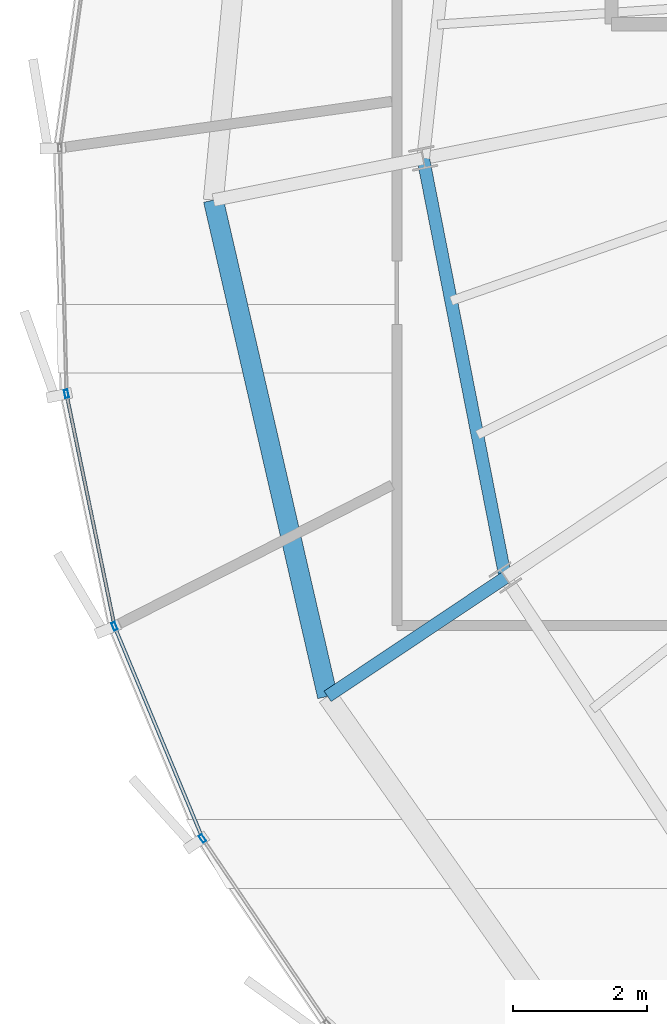
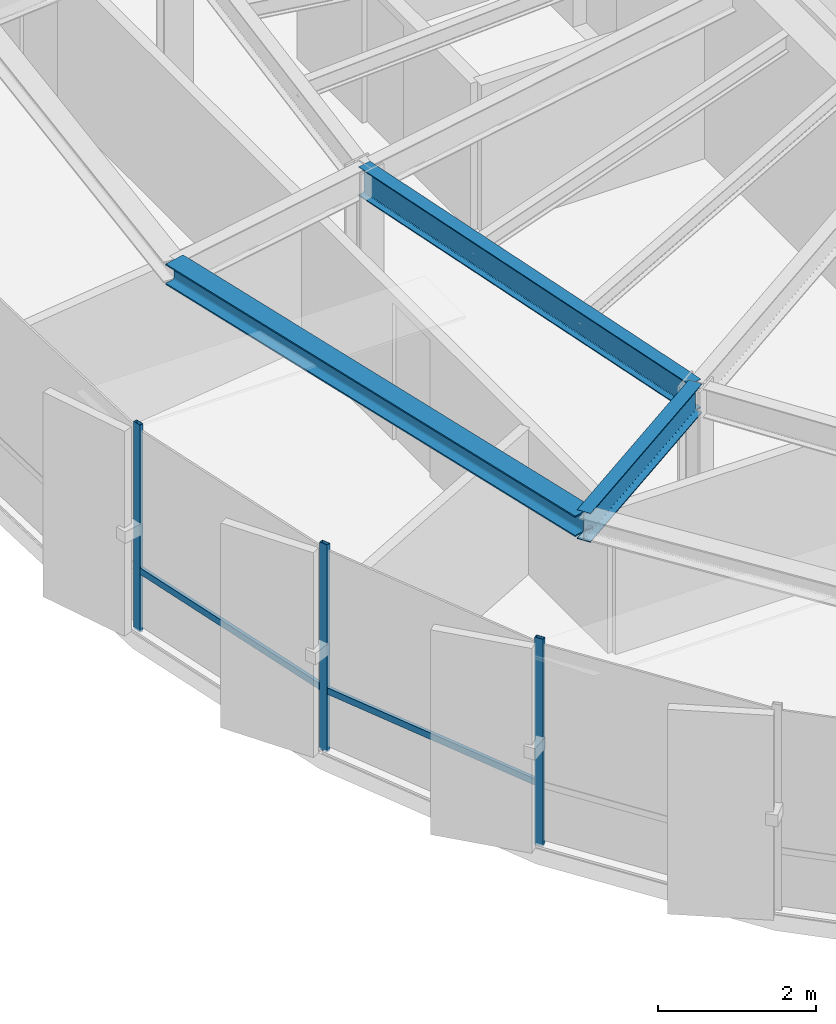
# One storey, part 4 of 35: 5 members, 3 beams, 1 element without a shape of its own.
"""IFC4 building model written with IfcOpenShell, lengths in metres."""

from ifc_helpers import new_model, si_unit, direction, frame, origin, origin_2d, place, context, subcontext, project, spatial, hollow_rectangle, i_section, extrude, source, transform, mapped, material, layer, layer_set, material_profile, profile_set, type_object, element, aggregate, save


model = new_model("IFC4")

# Units and contexts
model_context = context("Model", 3, precision=1e-05, world=origin(), true_north=direction((0.0, 1.0)))
body_context = subcontext(model_context, "Body", "Model", "MODEL_VIEW")
ifc_project = project(units=[si_unit("LENGTHUNIT", "METRE"), si_unit("AREAUNIT", "SQUARE_METRE"), si_unit("VOLUMEUNIT", "CUBIC_METRE"), si_unit("PLANEANGLEUNIT", "RADIAN"), si_unit("MASSUNIT", "GRAM", prefix="KILO"), si_unit("THERMODYNAMICTEMPERATUREUNIT", "KELVIN")], contexts=[model_context])

# Site, building, storey
site_placement = place(None, origin())
site = spatial("IfcSite", under=ifc_project, at=site_placement, CompositionType="ELEMENT")
building_placement = place(site_placement, origin())
building = spatial("IfcBuilding", under=site, at=building_placement, Name="Kethvar Cultural Tower", CompositionType="ELEMENT")
storey_placement = place(building_placement, frame((0.0, 0.0, 245.64990234375)))
storey = spatial("IfcBuildingStorey", under=building, at=storey_placement, Name="L64", CompositionType="ELEMENT", Elevation=245.64990234375)

# Beams
ifc_material_1 = material(Name="Steel S355J2", Category="steel")
ifc_material_profile_1 = material_profile(ifc_material_1, i_section(OverallWidth=0.18994140625, OverallDepth=0.449951171875, WebThickness=0.009521484375, FlangeThickness=0.0146484375, FilletRadius=0.02099609375, at=origin_2d()), Name="Steel S355J2 — IPE450")
ifc_profile_set_1 = profile_set([ifc_material_profile_1], Name="Steel S355J2 — IPE450")
beam_type_1 = type_object("IfcBeamType", Name="BM-IPE450", PredefinedType="BEAM", material=ifc_profile_set_1)
shared_shape_1 = source(origin(), body_context, "Body", "SweptSolid", [
    extrude(i_section(OverallWidth=0.18994140625, OverallDepth=0.449951171875, WebThickness=0.009521484375, FlangeThickness=0.0146484375, FilletRadius=0.02099609375, at=origin_2d()), origin(), (0.0, 0.0, 1.0), 3.199951171875),
])
beam_1_placement = place(storey_placement, frame((32.912841796875, 18.52099609375, 2.983154296875), z_axis=(-0.831462943996, -0.555580212716, 0.0), x_axis=(0.555580212716, -0.831462943996, 0.0)))
element("IfcBeam", 1, at=beam_1_placement, inside=storey, type_object=beam_type_1, Name="L64 Perimeter Cantilever Beam RC-10", PredefinedType="BEAM", context=body_context, shape_type="MappedRepresentation", body=[
    mapped(shared_shape_1, transform((0.0, 0.0, 0.0), scale=1.0)),
])
shared_shape_2 = source(origin(), body_context, "Body", "SweptSolid", [
    extrude(i_section(OverallWidth=0.18994140625, OverallDepth=0.449951171875, WebThickness=0.009521484375, FlangeThickness=0.0146484375, FilletRadius=0.02099609375, at=origin_2d()), origin(), (0.0, 0.0, 1.0), 6.391357421875),
])
beam_2_placement = place(storey_placement, frame((31.68310546875, 24.79296875, 2.983154296875), z_axis=(0.192405084368, -0.981315588131, 0.0), x_axis=(0.981315588131, 0.192405084368, 0.0)))
element("IfcBeam", 2, at=beam_2_placement, inside=storey, type_object=beam_type_1, Name="L64 Column Ring Tie Beam CR-09", PredefinedType="BEAM", context=body_context, shape_type="MappedRepresentation", body=[
    mapped(shared_shape_2, transform((0.0, 0.0, 0.0), scale=1.0)),
])
ifc_material_profile_2 = material_profile(ifc_material_1, i_section(OverallWidth=0.300048828125, OverallDepth=0.320068359375, WebThickness=0.011474609375, FlangeThickness=0.0205078125, FilletRadius=0.027099609375, at=origin_2d()), Name="Steel S355J2 — HEB320")
ifc_profile_set_2 = profile_set([ifc_material_profile_2], Name="Steel S355J2 — HEB320")
beam_type_2 = type_object("IfcBeamType", Name="BM-SP320", PredefinedType="SPANDREL", material=ifc_profile_set_2)
shared_shape_3 = source(origin(), body_context, "Body", "SweptSolid", [
    extrude(i_section(OverallWidth=0.300048828125, OverallDepth=0.320068359375, WebThickness=0.011474609375, FlangeThickness=0.0205078125, FilletRadius=0.027099609375, at=origin_2d()), origin(), (0.0, 0.0, 1.0), 7.619384765625),
])
beam_3_placement = place(storey_placement, frame((28.54443359375, 24.168701171875, 3.048095703125), z_axis=(0.224133998424, -0.974558336248, 0.0), x_axis=(0.974558336248, 0.224133998424, 0.0)))
element("IfcBeam", 3, at=beam_3_placement, inside=storey, type_object=beam_type_2, Name="L64 Perimeter Spandrel Beam SP-09", PredefinedType="SPANDREL", context=body_context, shape_type="MappedRepresentation", body=[
    mapped(shared_shape_3, transform((0.0, 0.0, 0.0), scale=1.0)),
])

# Curtain wall, members
ifc_material_2 = material(Name="Aluminium 6063-T6", Category="aluminium")
ifc_layer = layer(ifc_material_2, 0.179931640625, Name="Aluminium 6063-T6", Category="aluminium")
ifc_layer_set = layer_set([ifc_layer], Name="Aluminium 6063-T6 (180 mm)")
curtain_wall_type = type_object("IfcCurtainWallType", Name="CW-SYS-05-Z56", PredefinedType="NOTDEFINED", material=ifc_layer_set)
curtain_wall_placement = place(storey_placement, origin())
curtain_wall = element("IfcCurtainWall", 4, at=curtain_wall_placement, inside=storey, type_object=curtain_wall_type, Name="L64 Curtain Wall Run 03", PredefinedType="NOTDEFINED")
ifc_material_profile_3 = material_profile(ifc_material_2, hollow_rectangle(XDim=0.054931640625, YDim=0.1201171875, WallThickness=0.00390625, at=origin_2d()), Name="Aluminium 6063-T6 — RHS120x55x4")
ifc_profile_set_3 = profile_set([ifc_material_profile_3], Name="Aluminium 6063-T6 — RHS120x55x4")
member_type_1 = type_object("IfcMemberType", Name="CW-SYS-05-Z56-MUL", PredefinedType="MULLION", material=ifc_profile_set_3)
shared_shape_4 = source(origin(), body_context, "Body", "SweptSolid", [
    extrude(hollow_rectangle(XDim=0.054931640625, YDim=0.1201171875, WallThickness=0.00390625, at=origin_2d()), origin(), (0.0, 0.0, 1.0), 3.210205078125),
])
member_1_placement = place(storey_placement, frame((26.345947265625, 21.2705078125, 0.0), z_axis=(0.0, 0.0, 1.0), x_axis=(0.979229888637, 0.202753113909, 0.0)))
member_1 = element("IfcMember", 5, at=member_1_placement, type_object=member_type_1, Name="CW-L64-R03 Mullion 3", PredefinedType="MULLION", context=body_context, shape_type="MappedRepresentation", body=[
    mapped(shared_shape_4, transform((0.0, 0.0, 0.0), scale=1.0)),
])
member_2_placement = place(storey_placement, frame((27.064453125, 17.79150390625, 0.0), z_axis=(0.0, 0.0, 1.0), x_axis=(0.923424704112, 0.383779644895, 0.0)))
member_2 = element("IfcMember", 6, at=member_2_placement, type_object=member_type_1, Name="CW-L64-R03 Mullion 4", PredefinedType="MULLION", context=body_context, shape_type="MappedRepresentation", body=[
    mapped(shared_shape_4, transform((0.0, 0.0, 0.0), scale=1.0)),
])
member_3_placement = place(storey_placement, frame((28.381591796875, 14.6171875, 0.0), z_axis=(0.0, 0.0, 1.0), x_axis=(0.828070119493, 0.560624542099, 0.0)))
member_3 = element("IfcMember", 7, at=member_3_placement, type_object=member_type_1, Name="CW-L64-R03 Mullion 5", PredefinedType="MULLION", context=body_context, shape_type="MappedRepresentation", body=[
    mapped(shared_shape_4, transform((0.0, 0.0, 0.0), scale=1.0)),
])
ifc_material_profile_4 = material_profile(ifc_material_2, hollow_rectangle(XDim=0.050048828125, YDim=0.10009765625, WallThickness=0.00390625, at=origin_2d()), Name="Aluminium 6063-T6 — RHS100x50x4")
ifc_profile_set_4 = profile_set([ifc_material_profile_4], Name="Aluminium 6063-T6 — RHS100x50x4")
member_type_2 = type_object("IfcMemberType", Name="CW-SYS-05-Z56-TRN", PredefinedType="USERDEFINED", material=ifc_profile_set_4)
shared_shape_5 = source(origin(), body_context, "Body", "SweptSolid", [
    extrude(hollow_rectangle(XDim=0.050048828125, YDim=0.10009765625, WallThickness=0.00390625, at=origin_2d()), origin(), (0.0, 0.0, 1.0), 3.4921875),
])
member_4_placement = place(storey_placement, frame((26.35400390625, 21.231689453125, 0.9501953125), z_axis=(0.202739683113, -0.979232669436, 0.0), x_axis=(0.979232669436, 0.202739683113, 0.0)))
member_4 = element("IfcMember", 8, at=member_4_placement, type_object=member_type_2, Name="CW-L64-R03 Transom 3", ObjectType="TRANSOM", PredefinedType="USERDEFINED", context=body_context, shape_type="MappedRepresentation", body=[
    mapped(shared_shape_5, transform((0.0, 0.0, 0.0), scale=1.0)),
])
shared_shape_6 = source(origin(), body_context, "Body", "SweptSolid", [
    extrude(hollow_rectangle(XDim=0.050048828125, YDim=0.10009765625, WallThickness=0.00390625, at=origin_2d()), origin(), (0.0, 0.0, 1.0), 3.37744140625),
])
member_5_placement = place(storey_placement, frame((27.07958984375, 17.7548828125, 0.9501953125), z_axis=(0.38375807081, -0.923433670107, 0.0), x_axis=(0.923433670107, 0.38375807081, 0.0)))
member_5 = element("IfcMember", 9, at=member_5_placement, type_object=member_type_2, Name="CW-L64-R03 Transom 4", ObjectType="TRANSOM", PredefinedType="USERDEFINED", context=body_context, shape_type="MappedRepresentation", body=[
    mapped(shared_shape_6, transform((0.0, 0.0, 0.0), scale=1.0)),
])
aggregate(curtain_wall, [member_1, member_2, member_3, member_4, member_5])

save(model, "model.ifc")
